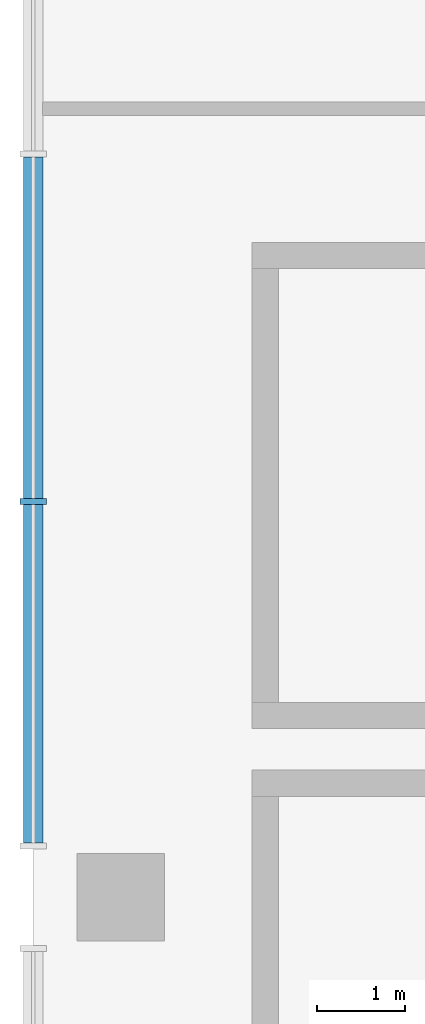
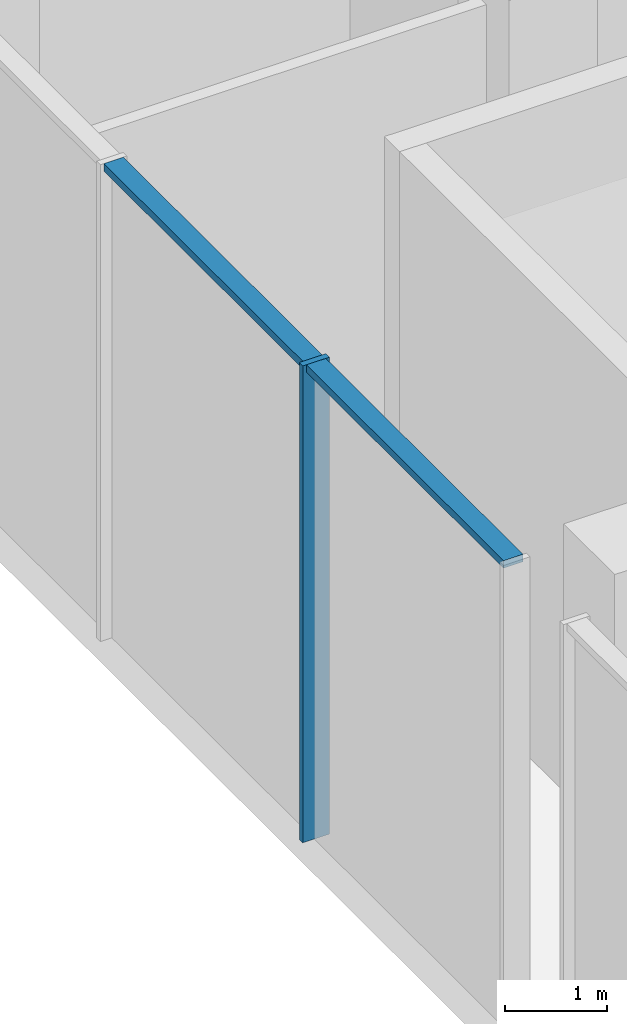
# One storey, part 3 of 30: 3 members, 1 element without a shape of its own.
"""IFC4 building model written with IfcOpenShell, lengths in metres."""

from ifc_helpers import new_model, si_unit, direction, frame, origin, origin_2d, place, context, subcontext, project, spatial, rectangle, extrude, material, material_profile, profile_set, type_object, element, aggregate, save


model = new_model("IFC4")

# Units and contexts
model_context = context("Model", 3, precision=1e-05, world=origin(), true_north=direction((0.0, 1.0)))
body_context = subcontext(model_context, "Body", "Model", "MODEL_VIEW")
ifc_project = project(units=[si_unit("LENGTHUNIT", "METRE"), si_unit("AREAUNIT", "SQUARE_METRE"), si_unit("VOLUMEUNIT", "CUBIC_METRE"), si_unit("PLANEANGLEUNIT", "RADIAN"), si_unit("MASSUNIT", "GRAM", prefix="KILO")], contexts=[model_context])

# Site, building, storey
site_placement = place(None, origin())
site = spatial("IfcSite", under=ifc_project, at=site_placement, CompositionType="ELEMENT")
building_placement = place(site_placement, origin())
building = spatial("IfcBuilding", under=site, at=building_placement, Name="Wharfspan Tower", CompositionType="ELEMENT")
storey_placement = place(building_placement, frame((0.0, 0.0, 21.5)))
storey = spatial("IfcBuildingStorey", under=building, at=storey_placement, Name="L03", CompositionType="ELEMENT", Elevation=21.5)

# Curtain wall, members
ifc_material = material(Name="Aluminium 6063-T6", Category="aluminium")
curtain_wall_type = type_object("IfcCurtainWallType", Name="CURTAIN WALL ARENA STICK WALL", PredefinedType="NOTDEFINED", material=ifc_material)
curtain_wall_placement = place(storey_placement, origin())
curtain_wall = element("IfcCurtainWall", 1, at=curtain_wall_placement, inside=storey, type_object=curtain_wall_type, Name="Concourse stick wall PF12.3", PredefinedType="NOTDEFINED")
ifc_material_profile_1 = material_profile(ifc_material, rectangle(XDim=0.300049, YDim=0.070068, at=origin_2d()))
ifc_profile_set_1 = profile_set([ifc_material_profile_1], Name="Aluminium 6063-T6")
member_type_1 = type_object("IfcMemberType", Name="MULLION ARENA STICK WALL 70x300", PredefinedType="MULLION", material=ifc_profile_set_1)
member_1_placement = place(storey_placement, frame((-12.0, 28.516602, 0.0), z_axis=(0.0, 0.0, 1.0), x_axis=(1.0, 0.0, 0.0)))
member_1 = element("IfcMember", 2, at=member_1_placement, type_object=member_type_1, Name="Concourse stick wall PF12.3 mullion 3", PredefinedType="MULLION", context=body_context, shape_type="SweptSolid", body=[
    extrude(rectangle(XDim=0.300049, YDim=0.070068, at=origin_2d()), origin(), (0.0, 0.0, 1.0), 5.699951),
])
ifc_material_profile_2 = material_profile(ifc_material, rectangle(XDim=0.219971, YDim=0.090088, at=origin_2d()))
ifc_profile_set_2 = profile_set([ifc_material_profile_2], Name="Aluminium 6063-T6")
member_type_2 = type_object("IfcMemberType", Name="TRANSOM ARENA STICK WALL 90x220", PredefinedType="USERDEFINED", material=ifc_profile_set_2)
member_2_placement = place(storey_placement, frame((-12.0, 32.448242, 5.655029), z_axis=(0.0, -1.0, 0.0), x_axis=(1.0, 0.0, 0.0)))
member_2 = element("IfcMember", 3, at=member_2_placement, type_object=member_type_2, Name="Concourse stick wall PF12.3 transom 2", ObjectType="TRANSOM", PredefinedType="USERDEFINED", context=body_context, shape_type="SweptSolid", body=[
    extrude(rectangle(XDim=0.219971, YDim=0.090088, at=origin_2d()), origin(), (0.0, 0.0, 1.0), 3.896484),
])
member_3_placement = place(storey_placement, frame((-12.0, 28.481689, 5.655029), z_axis=(0.0, -1.0, 0.0), x_axis=(1.0, 0.0, 0.0)))
member_3 = element("IfcMember", 4, at=member_3_placement, type_object=member_type_2, Name="Concourse stick wall PF12.3 transom 3", ObjectType="TRANSOM", PredefinedType="USERDEFINED", context=body_context, shape_type="SweptSolid", body=[
    extrude(rectangle(XDim=0.219971, YDim=0.090088, at=origin_2d()), origin(), (0.0, 0.0, 1.0), 3.861572),
])
aggregate(curtain_wall, [member_1, member_2, member_3])

save(model, "model.ifc")
